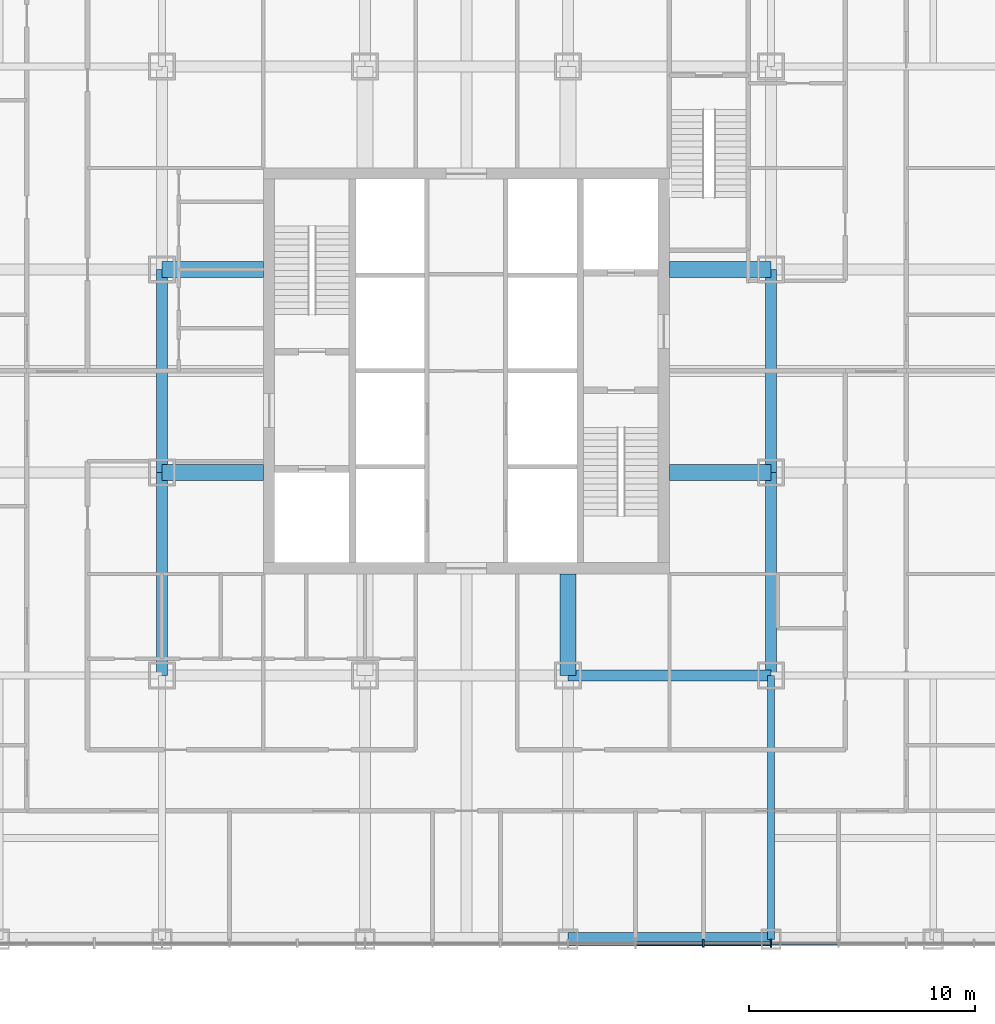
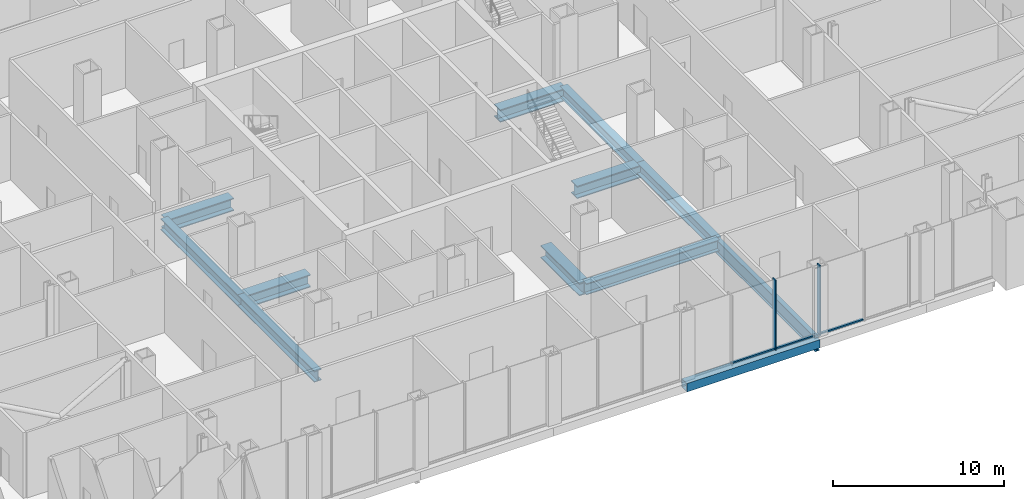
# One storey, part 4 of 25: 12 beams, 5 members, 1 element without a shape of its own.
"""IFC4 building model written with IfcOpenShell, lengths in metres."""

from ifc_helpers import new_model, si_unit, direction, frame, origin, origin_2d, place, context, subcontext, project, spatial, rectangle, hollow_rectangle, i_section, extrude, material, layer, layer_set, material_profile, profile_set, type_object, element, aggregate, save


model = new_model("IFC4")

# Units and contexts
model_context = context("Model", 3, precision=1e-05, world=origin(), true_north=direction((0.0, 1.0)))
body_context = subcontext(model_context, "Body", "Model", "MODEL_VIEW")
ifc_project = project(units=[si_unit("LENGTHUNIT", "METRE"), si_unit("AREAUNIT", "SQUARE_METRE"), si_unit("VOLUMEUNIT", "CUBIC_METRE"), si_unit("PLANEANGLEUNIT", "RADIAN"), si_unit("MASSUNIT", "GRAM", prefix="KILO")], contexts=[model_context])

# Site, building, storey
site_placement = place(None, origin())
site = spatial("IfcSite", under=ifc_project, at=site_placement, CompositionType="ELEMENT")
building_placement = place(site_placement, origin())
building = spatial("IfcBuilding", under=site, at=building_placement, Name="Malebo Sky Hospital", CompositionType="ELEMENT")
storey_placement = place(building_placement, frame((0.0, 0.0, 6.0)))
storey = spatial("IfcBuildingStorey", under=building, at=storey_placement, Name="L01", CompositionType="ELEMENT", Elevation=6.0)

# Curtain wall, members
ifc_material_1 = material(Name="Anodised aluminium, natural silver", Category="aluminium")
ifc_layer = layer(ifc_material_1, 0.25)
ifc_layer_set = layer_set([ifc_layer], Name="PODIUM ENTRANCE BAY CURTAIN WALL")
curtain_wall_type = type_object("IfcCurtainWallType", Name="PODIUM ENTRANCE BAY CURTAIN WALL", PredefinedType="NOTDEFINED", material=ifc_layer_set)
curtain_wall_placement = place(storey_placement, origin())
curtain_wall = element("IfcCurtainWall", 1, at=curtain_wall_placement, inside=storey, type_object=curtain_wall_type, Name="BAY curtain wall BS", PredefinedType="NOTDEFINED")
ifc_material_profile_1 = material_profile(ifc_material_1, rectangle(XDim=0.14990234375, YDim=0.10009765625, at=origin_2d()), Name="ALUMINIUM TRANSOM 150x100")
ifc_profile_set_1 = profile_set([ifc_material_profile_1], Name="Anodised aluminium, natural silver")
member_type_1 = type_object("IfcMemberType", Name="ALUMINIUM TRANSOM 150x100", PredefinedType="USERDEFINED", material=ifc_profile_set_1)
member_1_placement = place(storey_placement, frame((67.53759765625, 36.625, 0.050048828125), z_axis=(1.0, 0.0, 0.0), x_axis=(0.0, 1.0, 0.0)))
member_1 = element("IfcMember", 2, at=member_1_placement, type_object=member_type_1, Name="Transom 12", ObjectType="TRANSOM", PredefinedType="USERDEFINED", context=body_context, shape_type="SweptSolid", body=[
    extrude(rectangle(XDim=0.14990234375, YDim=0.10009765625, at=origin_2d()), origin(), (0.0, 0.0, 1.0), 2.9248046875),
])
member_2_placement = place(storey_placement, frame((70.53759765625, 36.625, 0.050048828125), z_axis=(1.0, 0.0, 0.0), x_axis=(0.0, 1.0, 0.0)))
member_2 = element("IfcMember", 3, at=member_2_placement, type_object=member_type_1, Name="Transom 13", ObjectType="TRANSOM", PredefinedType="USERDEFINED", context=body_context, shape_type="SweptSolid", body=[
    extrude(rectangle(XDim=0.14990234375, YDim=0.10009765625, at=origin_2d()), origin(), (0.0, 0.0, 1.0), 2.9248046875),
])
member_3_placement = place(storey_placement, frame((73.53759765625, 36.625, 0.050048828125), z_axis=(1.0, 0.0, 0.0), x_axis=(0.0, 1.0, 0.0)))
member_3 = element("IfcMember", 4, at=member_3_placement, type_object=member_type_1, Name="Transom 14", ObjectType="TRANSOM", PredefinedType="USERDEFINED", context=body_context, shape_type="SweptSolid", body=[
    extrude(rectangle(XDim=0.14990234375, YDim=0.10009765625, at=origin_2d()), origin(), (0.0, 0.0, 1.0), 2.9248046875),
])
ifc_material_profile_2 = material_profile(ifc_material_1, rectangle(XDim=0.074951171875, YDim=0.35009765625, at=origin_2d()), Name="CW4 ALUMINIUM FIN MULLION 75x350")
ifc_profile_set_2 = profile_set([ifc_material_profile_2], Name="Anodised aluminium, natural silver")
member_type_2 = type_object("IfcMemberType", Name="CW4 ALUMINIUM FIN MULLION 75x350", PredefinedType="MULLION", material=ifc_profile_set_2)
member_4_placement = place(storey_placement, frame((70.5, 36.625, 0.0), z_axis=(0.0, 0.0, 1.0), x_axis=(1.0, 0.0, 0.0)))
member_4 = element("IfcMember", 5, at=member_4_placement, type_object=member_type_2, Name="Fin mullion 13", PredefinedType="MULLION", context=body_context, shape_type="SweptSolid", body=[
    extrude(rectangle(XDim=0.074951171875, YDim=0.35009765625, at=origin_2d()), origin(), (0.0, 0.0, 1.0), 5.0),
])
member_5_placement = place(storey_placement, frame((73.5, 36.625, 0.0), z_axis=(0.0, 0.0, 1.0), x_axis=(1.0, 0.0, 0.0)))
member_5 = element("IfcMember", 6, at=member_5_placement, type_object=member_type_2, Name="Fin mullion 14", PredefinedType="MULLION", context=body_context, shape_type="SweptSolid", body=[
    extrude(rectangle(XDim=0.074951171875, YDim=0.35009765625, at=origin_2d()), origin(), (0.0, 0.0, 1.0), 5.0),
])
aggregate(curtain_wall, [member_4, member_5, member_1, member_2, member_3])

# Beams
ifc_material_2 = material(Name="Steel S460", Category="steel")
ifc_material_profile_3 = material_profile(ifc_material_2, hollow_rectangle(XDim=0.60009765625, YDim=0.60009765625, WallThickness=0.0400390625, at=origin_2d()), Name="BOX 600x600x40")
ifc_profile_set_3 = profile_set([ifc_material_profile_3], Name="Steel S460")
beam_type_1 = type_object("IfcBeamType", Name="EDGE BEAM BOX 600x600x40", PredefinedType="BEAM", material=ifc_profile_set_3)
beam_1_placement = place(storey_placement, frame((64.5, 36.800048828125, -0.60009765625), z_axis=(1.0, 0.0, 0.0), x_axis=(0.0, 1.0, 0.0)))
element("IfcBeam", 7, at=beam_1_placement, inside=storey, type_object=beam_type_1, Name="Beam 042 L01", PredefinedType="BEAM", context=body_context, shape_type="SweptSolid", body=[
    extrude(hollow_rectangle(XDim=0.60009765625, YDim=0.60009765625, WallThickness=0.0400390625, at=origin_2d()), origin(), (0.0, 0.0, 1.0), 9.0),
])
ifc_material_3 = material(Name="Steel S355", Category="steel")
ifc_material_profile_4 = material_profile(ifc_material_3, i_section(OverallWidth=0.5, OverallDepth=0.800048828125, WebThickness=0.030029296875, FlangeThickness=0.050048828125, at=origin_2d()), Name="PG 800x500x30x50")
ifc_profile_set_4 = profile_set([ifc_material_profile_4], Name="Steel S355")
beam_type_2 = type_object("IfcBeamType", Name="FLOOR BEAM PG 800x500x30x50", PredefinedType="BEAM", material=ifc_profile_set_4)
for number, where, z_axis, x_axis, name in (
    (8, (46.5, 48.5, -0.699951171875), (0.0, 1.0, 0.0), (-1.0, 0.0, 0.0), "Beam 010 L01"),
    (9, (73.5, 48.5, -0.699951171875), (0.0, 1.0, 0.0), (-1.0, 0.0, 0.0), "Beam 025 L01"),
    (10, (64.5, 48.5, -0.699951171875), (1.0, 0.0, 0.0), (0.0, 1.0, 0.0), "Beam 050 L01"),
):
    element("IfcBeam", number, at=place(storey_placement, frame(where, z_axis=z_axis, x_axis=x_axis)), inside=storey, type_object=beam_type_2, Name=name, PredefinedType="BEAM", context=body_context, shape_type="SweptSolid", body=[
        extrude(i_section(OverallWidth=0.5, OverallDepth=0.800048828125, WebThickness=0.030029296875, FlangeThickness=0.050048828125, at=origin_2d()), origin(), (0.0, 0.0, 1.0), 9.0),
    ])
ifc_material_profile_5 = material_profile(ifc_material_3, i_section(OverallWidth=0.699951171875, OverallDepth=0.89990234375, WebThickness=0.0400390625, FlangeThickness=0.070068359375, at=origin_2d()), Name="PG 900x700x40x70")
ifc_profile_set_5 = profile_set([ifc_material_profile_5], Name="Steel S355")
beam_type_3 = type_object("IfcBeamType", Name="FLOOR BEAM PG 900x700x40x70", PredefinedType="BEAM", material=ifc_profile_set_5)
for number, where, z_axis, x_axis, name in (
    (11, (64.5, 48.5, -0.75), (0.0, 1.0, 0.0), (-1.0, 0.0, 0.0), "Beam 021 L01"),
    (12, (46.5, 57.5, -0.75), (1.0, 0.0, 0.0), (0.0, 1.0, 0.0), "Beam 053 L01"),
    (13, (69.0, 57.5, -0.75), (1.0, 0.0, 0.0), (0.0, 1.0, 0.0), "Beam 054 L01"),
    (14, (46.5, 66.5, -0.75), (1.0, 0.0, 0.0), (0.0, 1.0, 0.0), "Beam 059 L01"),
    (15, (69.0, 66.5, -0.75), (1.0, 0.0, 0.0), (0.0, 1.0, 0.0), "Beam 060 L01"),
):
    element("IfcBeam", number, at=place(storey_placement, frame(where, z_axis=z_axis, x_axis=x_axis)), inside=storey, type_object=beam_type_3, Name=name, PredefinedType="BEAM", context=body_context, shape_type="SweptSolid", body=[
        extrude(i_section(OverallWidth=0.699951171875, OverallDepth=0.89990234375, WebThickness=0.0400390625, FlangeThickness=0.070068359375, at=origin_2d()), origin(), (0.0, 0.0, 1.0), 4.5),
    ])
ifc_material_profile_6 = material_profile(ifc_material_3, i_section(OverallWidth=0.300048828125, OverallDepth=1.0, WebThickness=0.01904296875, FlangeThickness=0.035888671875, FilletRadius=0.030029296875, at=origin_2d()), Name="HEB 1000")
ifc_profile_set_6 = profile_set([ifc_material_profile_6], Name="Steel S355")
beam_type_4 = type_object("IfcBeamType", Name="FLOOR GIRDER HEB 1000", PredefinedType="BEAM", material=ifc_profile_set_6)
beam_2_placement = place(storey_placement, frame((73.5, 36.800048828125, -0.800048828125), z_axis=(0.0, 1.0, 0.0), x_axis=(-1.0, 0.0, 0.0)))
element("IfcBeam", 16, at=beam_2_placement, inside=storey, type_object=beam_type_4, Name="Beam 024 L01", PredefinedType="BEAM", context=body_context, shape_type="SweptSolid", body=[
    extrude(i_section(OverallWidth=0.300048828125, OverallDepth=1.0, WebThickness=0.01904296875, FlangeThickness=0.035888671875, FilletRadius=0.030029296875, at=origin_2d()), origin(), (0.0, 0.0, 1.0), 11.699951171875),
])
ifc_material_profile_7 = material_profile(ifc_material_3, i_section(OverallWidth=0.5, OverallDepth=0.800048828125, WebThickness=0.030029296875, FlangeThickness=0.050048828125, at=origin_2d()), Name="PG 800x500x30x50")
ifc_profile_set_7 = profile_set([ifc_material_profile_7], Name="Steel S355")
beam_type_5 = type_object("IfcBeamType", Name="RING GIRDER PG 800x500x30x50", PredefinedType="BEAM", material=ifc_profile_set_7)
for number, where, z_axis, x_axis, name in (
    (17, (46.5, 57.5, -0.699951171875), (0.0, 1.0, 0.0), (-1.0, 0.0, 0.0), "Beam 011 L01"),
    (18, (73.5, 57.5, -0.699951171875), (0.0, 1.0, 0.0), (-1.0, 0.0, 0.0), "Beam 026 L01"),
):
    element("IfcBeam", number, at=place(storey_placement, frame(where, z_axis=z_axis, x_axis=x_axis)), inside=storey, type_object=beam_type_5, Name=name, PredefinedType="BEAM", context=body_context, shape_type="SweptSolid", body=[
        extrude(i_section(OverallWidth=0.5, OverallDepth=0.800048828125, WebThickness=0.030029296875, FlangeThickness=0.050048828125, at=origin_2d()), origin(), (0.0, 0.0, 1.0), 9.0),
    ])

save(model, "model.ifc")
